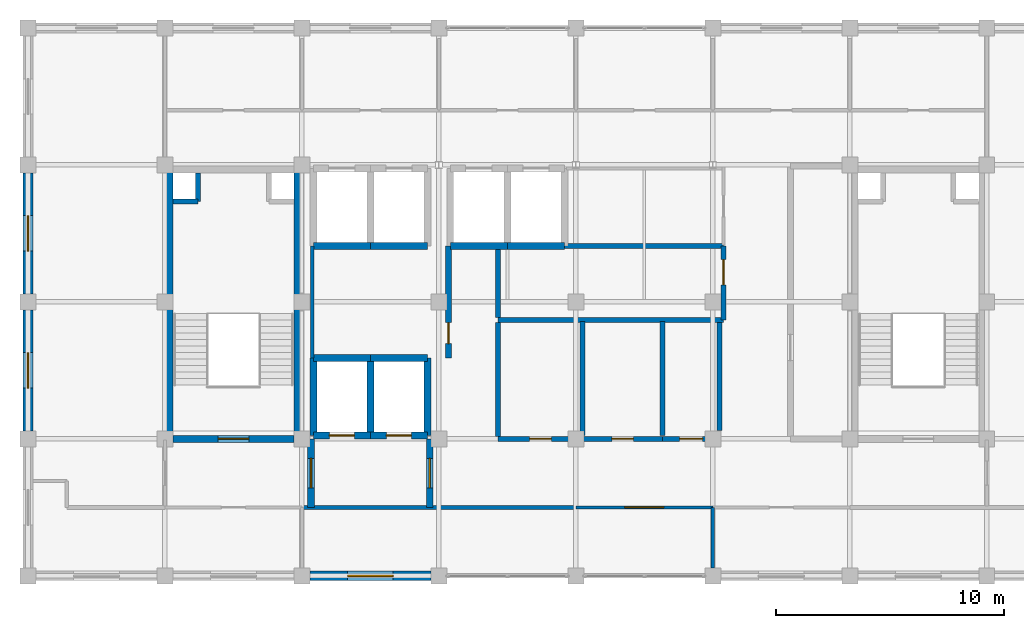
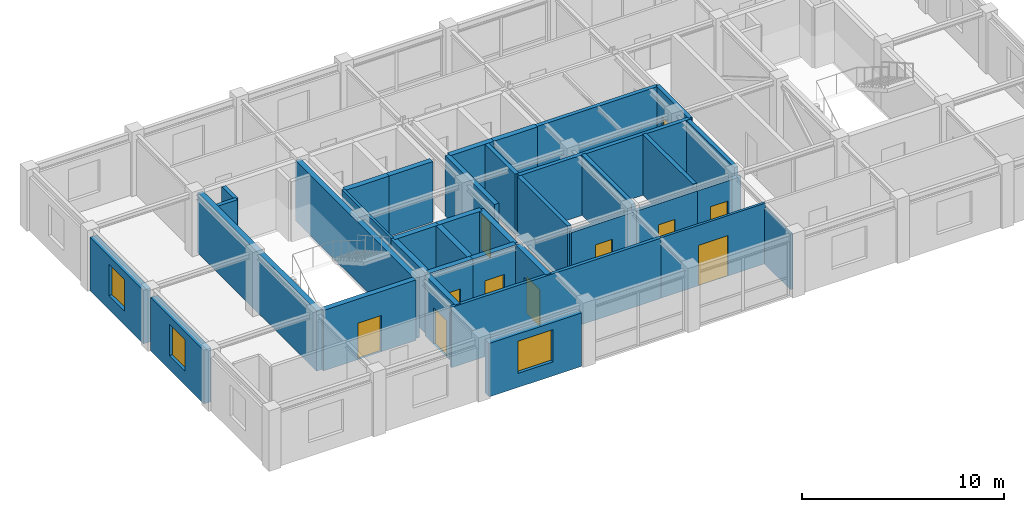
# One storey, part 8 of 11: 37 walls, 11 doors, 3 windows, 14 openings.
"""IFC4 building model written with IfcOpenShell, lengths in metres."""

import ifcopenshell
import ifcopenshell.guid

model = None  # the IFC model being written
_history = None  # IfcOwnerHistory: only IFC2X3 demands one
_inside = {}  # id of a spatial element -> (the spatial element, [elements in it])
_under = {}  # id of a project, library or spatial element -> (it, [spatial elements below it])
_declared = {}  # id of a project -> (the project, [libraries it declares])
_typed = {}  # id of a type object -> (the type object, [elements of that type])
_made_of = {}  # id of a material, layer set ... -> (it, [elements and type objects made of it])


def new_model(schema):
    """Start an empty IFC model of exactly this schema.

    Asked for "IFC4X3", IfcOpenShell would pick the latest addendum, in which some entities
    have other attributes; the version numbers below select the first issue.
    IFC2X3 requires an IfcOwnerHistory on every rooted entity: one is made here for all.
    """
    global model, _history
    if schema == "IFC4X3":
        model = ifcopenshell.file(schema_version=(4, 3, 0, 0))
    else:
        model = ifcopenshell.file(schema=schema)
    _inside.clear()
    _under.clear()
    _declared.clear()
    _typed.clear()
    _made_of.clear()
    _history = None
    if model.schema == "IFC2X3":
        org = make("IfcOrganization", Name="unknown")
        user = make(
            "IfcPersonAndOrganization",
            ThePerson=make("IfcPerson", FamilyName="unknown"),
            TheOrganization=org,
        )
        app = make(
            "IfcApplication",
            ApplicationDeveloper=org,
            Version="unknown",
            ApplicationFullName="unknown",
            ApplicationIdentifier="unknown",
        )
        _history = make(
            "IfcOwnerHistory",
            OwningUser=user,
            OwningApplication=app,
            ChangeAction="ADDED",
            CreationDate=0,
        )
    return model


def make(cls, **values):
    """One entity of the class cls with the attributes given. An attribute that is None is left unset."""
    return model.create_entity(
        cls, **{name: value for name, value in values.items() if value is not None}
    )


def rooted(cls, **values):
    """An entity with a GlobalId (a new one), such as an element, a storey or a relation."""
    return make(cls, GlobalId=ifcopenshell.guid.new(), OwnerHistory=_history, **values)


def si_unit(unit_type, name, prefix=None):
    """IfcSIUnit, for example si_unit("LENGTHUNIT", "METRE", prefix="MILLI")."""
    return make("IfcSIUnit", UnitType=unit_type, Prefix=prefix, Name=name)


def assignment(units):
    """IfcUnitAssignment: the units of a project."""
    return None if units is None else make("IfcUnitAssignment", Units=units)


def point(xyz):
    """IfcCartesianPoint."""
    return None if xyz is None else make("IfcCartesianPoint", Coordinates=xyz)


def direction(xyz):
    """IfcDirection."""
    return None if xyz is None else make("IfcDirection", DirectionRatios=xyz)


def frame(location, z_axis=None, x_axis=None):
    """IfcAxis2Placement3D, a coordinate frame: its origin and axes. An axis left out is left unset."""
    return make(
        "IfcAxis2Placement3D",
        Location=point(location),
        Axis=direction(z_axis),
        RefDirection=direction(x_axis),
    )


def frame_2d(location, x_axis=None):
    """IfcAxis2Placement2D, a coordinate frame in the plane: its origin and x axis."""
    return make(
        "IfcAxis2Placement2D", Location=point(location), RefDirection=direction(x_axis)
    )


def origin():
    """The frame at (0, 0, 0) with its axes left unset."""
    return frame((0.0, 0.0, 0.0))


def place(relative_to, where):
    """IfcLocalPlacement: puts the frame where relative to a parent placement (None: the world)."""
    return make(
        "IfcLocalPlacement", PlacementRelTo=relative_to, RelativePlacement=where
    )


def context(
    kind, dimensions, precision=None, world=None, true_north=None, identifier=None
):
    """IfcGeometricRepresentationContext, for example the 3D "Model" context."""
    return make(
        "IfcGeometricRepresentationContext",
        ContextIdentifier=identifier,
        ContextType=kind,
        CoordinateSpaceDimension=dimensions,
        Precision=precision,
        WorldCoordinateSystem=world,
        TrueNorth=true_north,
    )


def subcontext(parent, identifier, kind, view, scale=None):
    """IfcGeometricRepresentationSubContext, for example "Body" below "Model"."""
    return make(
        "IfcGeometricRepresentationSubContext",
        ContextIdentifier=identifier,
        ContextType=kind,
        ParentContext=parent,
        TargetScale=scale,
        TargetView=view,
    )


def project(units=None, contexts=None):
    """IfcProject with its units and contexts."""
    return rooted(
        "IfcProject",
        Name="project",
        RepresentationContexts=contexts,
        UnitsInContext=assignment(units),
    )


def spatial(cls, under=None, at=None, **own):
    """A site, building, storey or space (cls), placed at a placement, below another one or the project."""
    s = rooted(cls, ObjectPlacement=at, **own)
    if under is not None:
        _under.setdefault(under.id(), (under, []))[1].append(s)
    return s


def profile(cls, at=None, kind="AREA", **sizes):
    """A parametric profile (cls). Its sizes go by their IFC names, for example OverallWidth=200.0."""
    return make(cls, ProfileType=kind, Position=at, **sizes)


def rectangle(**sizes):
    """IfcRectangleProfileDef."""
    return profile("IfcRectangleProfileDef", **sizes)


def extrude(swept, where, along, depth):
    """IfcExtrudedAreaSolid: the profile swept, set in the frame where, extruded along a direction by depth."""
    return make(
        "IfcExtrudedAreaSolid",
        SweptArea=swept,
        Position=where,
        ExtrudedDirection=direction(along),
        Depth=depth,
    )


def shape(context_of_items, identifier, shape_type, items):
    """IfcShapeRepresentation: the items that make up one representation, for example the "Body"."""
    return make(
        "IfcShapeRepresentation",
        ContextOfItems=context_of_items,
        RepresentationIdentifier=identifier,
        RepresentationType=shape_type,
        Items=items,
    )


def material(Name=None, Category=None):
    """IfcMaterial."""
    return make("IfcMaterial", Name=Name, Category=Category)


def layer(
    of_material, thickness, ventilated=None, Name=None, Category=None, Priority=None
):
    """IfcMaterialLayer: one layer of a wall or slab, of a material (None: an air gap)."""
    return make(
        "IfcMaterialLayer",
        Material=of_material,
        LayerThickness=thickness,
        IsVentilated=ventilated,
        Name=Name,
        Category=Category,
        Priority=Priority,
    )


def layer_set(layers, Name=None):
    """IfcMaterialLayerSet."""
    return make("IfcMaterialLayerSet", MaterialLayers=layers, LayerSetName=Name)


def made_of(thing, what):
    """Note that an element or type object is made of a material, layer set ...; save() writes the relation."""
    if what is not None:
        _made_of.setdefault(what.id(), (what, []))[1].append(thing)
    return thing


def type_object(cls, material=None, **own):
    """A type object (cls), such as IfcWallType, which elements share."""
    return made_of(rooted(cls, **own), material)


def element(
    cls,
    number,
    at=None,
    inside=None,
    cuts=None,
    type_object=None,
    material=None,
    context=None,
    identifier="Body",
    shape_type=None,
    held_by="IfcProductDefinitionShape",
    body=None,
    shapes=None,
    **own,
):
    """One element of the class cls, such as IfcWall. Its Tag is "e" and its number.

    at: its placement. inside: the storey or other place that contains it. cuts: it is an
    opening in that element (IfcRelVoidsElement). A single representation is given by context,
    identifier, shape_type and body (its items); several are given by shapes. held_by: the class
    of the entity that holds the representations. save() writes the other relations.
    """
    e = rooted(cls, Tag="e%d" % number, ObjectPlacement=at, **own)
    if body is not None:
        shapes = [shape(context, identifier, shape_type, body)]
    if shapes is not None:
        e.Representation = make(held_by, Representations=shapes)
    if inside is not None:
        _inside.setdefault(inside.id(), (inside, []))[1].append(e)
    if cuts is not None:
        rooted(
            "IfcRelVoidsElement", RelatingBuildingElement=cuts, RelatedOpeningElement=e
        )
    if type_object is not None:
        _typed.setdefault(type_object.id(), (type_object, []))[1].append(e)
    return made_of(e, material)


def fill(opening, filler):
    """IfcRelFillsElement: the door or window that sits in an opening."""
    return rooted(
        "IfcRelFillsElement",
        RelatingOpeningElement=opening,
        RelatedBuildingElement=filler,
    )


def aggregate(whole, parts):
    """IfcRelAggregates: a whole, such as a stair, and the parts it consists of."""
    return rooted("IfcRelAggregates", RelatingObject=whole, RelatedObjects=parts)


def save(model, path):
    """Write the relations noted so far, then the file.

    IfcRelAggregates (storeys below a building ...), IfcRelContainedInSpatialStructure (elements
    in a storey), IfcRelDefinesByType, IfcRelAssociatesMaterial and IfcRelDeclares: one each for
    every whole, place, type object, material and project.
    """
    for whole, parts in _under.values():
        aggregate(whole, parts)
    for where, things in _inside.values():
        rooted(
            "IfcRelContainedInSpatialStructure",
            RelatedElements=things,
            RelatingStructure=where,
        )
    for kind, things in _typed.values():
        rooted("IfcRelDefinesByType", RelatedObjects=things, RelatingType=kind)
    for what, things in _made_of.values():
        rooted("IfcRelAssociatesMaterial", RelatedObjects=things, RelatingMaterial=what)
    for by, libraries in _declared.values():
        rooted("IfcRelDeclares", RelatingContext=by, RelatedDefinitions=libraries)
    model.write(path)


model = new_model("IFC4")

# Units and contexts
model_context = context("Model", 3, precision=1e-05, world=origin(), true_north=direction((0.0, 1.0)))
body_context = subcontext(model_context, "Body", "Model", "MODEL_VIEW")
ifc_project = project(units=[si_unit("LENGTHUNIT", "METRE"), si_unit("AREAUNIT", "SQUARE_METRE"), si_unit("VOLUMEUNIT", "CUBIC_METRE"), si_unit("PLANEANGLEUNIT", "RADIAN"), si_unit("MASSUNIT", "GRAM", prefix="KILO")], contexts=[model_context])

# Site, building, storey
site_placement = place(None, origin())
site = spatial("IfcSite", under=ifc_project, at=site_placement, CompositionType="ELEMENT")
building_placement = place(site_placement, origin())
building = spatial("IfcBuilding", under=site, at=building_placement, Name="Zlatovratsky Civic Hall", CompositionType="ELEMENT")
storey_placement = place(building_placement, frame((0.0, 0.0, 63.89990234375)))
storey = spatial("IfcBuildingStorey", under=building, at=storey_placement, Name="L16", CompositionType="ELEMENT", Elevation=63.89990234375)

# Wall
ifc_material_1 = material(Name="Acoustic ceramic blockwork", Category="masonry")
ifc_layer_1 = layer(ifc_material_1, 0.179931640625)
ifc_layer_set_1 = layer_set([ifc_layer_1], Name="Acoustic ceramic blockwork")
wall_type_1 = type_object("IfcWallType", Name="Wall_AcousticChamberPartition_180", PredefinedType="PARTITIONING", material=ifc_layer_set_1)
wall_1_placement = place(storey_placement, frame((72.0, 81.0, 0.0), z_axis=(0.0, 0.0, 1.0), x_axis=(1.0, 0.0, 0.0)))
element("IfcWall", 1, at=wall_1_placement, inside=storey, type_object=wall_type_1, Name="WL-6772", PredefinedType="PARTITIONING", context=body_context, shape_type="SweptSolid", body=[
    extrude(rectangle(XDim=12.0, YDim=0.179931640625, at=frame_2d((6.0, 0.0))), origin(), (0.0, 0.0, 1.0), 3.66015625),
])

# Wall, opening, door
ifc_layer_2 = layer(ifc_material_1, 0.260009765625)
ifc_layer_set_2 = layer_set([ifc_layer_2], Name="Acoustic ceramic blockwork")
wall_type_2 = type_object("IfcWallType", Name="Wall_ArchiveCompartment_260", PredefinedType="PARTITIONING", material=ifc_layer_set_2)
wall_2_placement = place(storey_placement, frame((78.419921875, 87.550048828125, 0.0), z_axis=(0.0, 0.0, 1.0), x_axis=(0.0, 1.0, 0.0)))
wall_2 = element("IfcWall", 2, at=wall_2_placement, inside=storey, type_object=wall_type_2, Name="WL-6750", PredefinedType="PARTITIONING", context=body_context, shape_type="SweptSolid", body=[
    extrude(rectangle(XDim=4.89990234375, YDim=0.260009765625, at=frame_2d((2.449951171875, 0.0))), origin(), (0.0, 0.0, 1.0), 3.66015625),
])
opening_1_placement = place(wall_2_placement, frame((0.617919921875, 0.0, 0.0)))
opening_1 = element("IfcOpeningElement", 3, at=opening_1_placement, cuts=wall_2, Name="Opening D-23", PredefinedType="OPENING", context=body_context, shape_type="SweptSolid", body=[
    extrude(rectangle(XDim=0.919921875, YDim=2.14990234375, at=frame_2d((0.4599609375, 1.074951171875))), frame((0.0, 0.14501953125, 0.0), z_axis=(0.0, -1.0, 0.0), x_axis=(1.0, 0.0, 0.0)), (0.0, 0.0, 1.0), 0.289794921875),
])
ifc_material_2 = material(Name="Solid oak joinery in steel frame", Category="steel")
door_type_1 = type_object("IfcDoorType", Name="Door_OfficeStandard_920x2150", OperationType="NOTDEFINED", PredefinedType="DOOR", material=ifc_material_2)
door_1_placement = place(opening_1_placement, origin())
door_1 = element("IfcDoor", 4, at=door_1_placement, inside=storey, type_object=door_type_1, Name="DR-5547", OperationType="SINGLE_SWING_LEFT", OverallHeight=2.14990234375, OverallWidth=0.919921875, PredefinedType="DOOR", context=body_context, shape_type="SweptSolid", body=[
    extrude(rectangle(XDim=0.919921875, YDim=2.14990234375, at=frame_2d((0.4599609375, 1.074951171875))), frame((0.0, 0.02490234375, 0.0), z_axis=(0.0, -1.0, 0.0), x_axis=(1.0, 0.0, 0.0)), (0.0, 0.0, 1.0), 0.050048828125),
])
fill(opening_1, door_1)

ifc_material_3 = material(Name="Fire-rated gypsum board framing", Category="gypsum")
ifc_layer_3 = layer(ifc_material_3, 0.139892578125)
ifc_layer_set_3 = layer_set([ifc_layer_3], Name="Fire-rated gypsum board framing")
wall_type_3 = type_object("IfcWallType", Name="Wall_OfficePartition_140", PredefinedType="PARTITIONING", material=ifc_layer_set_3)
wall_3_placement = place(storey_placement, frame((84.0, 81.0, 0.0), z_axis=(0.0, 0.0, 1.0), x_axis=(1.0, 0.0, 0.0)))
wall_3 = element("IfcWall", 5, at=wall_3_placement, inside=storey, type_object=wall_type_3, Name="WL-6748", PredefinedType="PARTITIONING", context=body_context, shape_type="SweptSolid", body=[
    extrude(rectangle(XDim=6.0, YDim=0.139892578125, at=frame_2d((3.0, 0.0))), origin(), (0.0, 0.0, 1.0), 3.66015625),
])
opening_2_placement = place(wall_3_placement, frame((2.14990234375, 0.0, 0.0)))
opening_2 = element("IfcOpeningElement", 6, at=opening_2_placement, cuts=wall_3, Name="Opening D-26", PredefinedType="OPENING", context=body_context, shape_type="SweptSolid", body=[
    extrude(rectangle(XDim=1.699951171875, YDim=2.449951171875, at=frame_2d((0.85009765625, 1.22509765625))), frame((0.0, 0.0849609375, 0.0), z_axis=(0.0, -1.0, 0.0), x_axis=(1.0, 0.0, 0.0)), (0.0, 0.0, 1.0), 0.169677734375),
])
door_type_2 = type_object("IfcDoorType", Name="Door_CommissionBoardroom_1700x2450", OperationType="DOUBLE_DOOR_SINGLE_SWING", PredefinedType="DOOR", material=ifc_material_2)
door_2_placement = place(opening_2_placement, origin())
door_2 = element("IfcDoor", 7, at=door_2_placement, inside=storey, type_object=door_type_2, Name="DR-5545", OperationType="DOUBLE_DOOR_SINGLE_SWING", OverallHeight=2.449951171875, OverallWidth=1.699951171875, PredefinedType="DOOR", context=body_context, shape_type="SweptSolid", body=[
    extrude(rectangle(XDim=1.699951171875, YDim=2.449951171875, at=frame_2d((0.85009765625, 1.22509765625))), frame((0.0, 0.02490234375, 0.0), z_axis=(0.0, -1.0, 0.0), x_axis=(1.0, 0.0, 0.0)), (0.0, 0.0, 1.0), 0.050048828125),
])
fill(opening_2, door_2)

# Walls
wall_4_placement = place(storey_placement, frame((90.0, 78.35009765625, 0.0), z_axis=(0.0, 0.0, 1.0), x_axis=(0.0, 1.0, 0.0)))
element("IfcWall", 8, at=wall_4_placement, inside=storey, type_object=wall_type_3, Name="WL-6759", PredefinedType="PARTITIONING", context=body_context, shape_type="SweptSolid", body=[
    extrude(rectangle(XDim=2.64990234375, YDim=0.139892578125, at=frame_2d((1.324951171875, 0.0))), origin(), (0.0, 0.0, 1.0), 3.369140625),
])
wall_5_placement = place(storey_placement, frame((72.449951171875, 87.550048828125, 0.0), z_axis=(0.0, 0.0, 1.0), x_axis=(0.0, 1.0, 0.0)))
element("IfcWall", 9, at=wall_5_placement, inside=storey, type_object=wall_type_3, Name="WL-6760", PredefinedType="PARTITIONING", context=body_context, shape_type="SweptSolid", body=[
    extrude(rectangle(XDim=4.89990234375, YDim=0.139892578125, at=frame_2d((2.449951171875, 0.0))), origin(), (0.0, 0.0, 1.0), 3.66015625),
])
ifc_layer_4 = layer(ifc_material_1, 0.219970703125)
ifc_layer_set_4 = layer_set([ifc_layer_4], Name="Acoustic ceramic blockwork")
wall_type_4 = type_object("IfcWallType", Name="Wall_SanitaryWetCore_220", PredefinedType="PARTITIONING", material=ifc_layer_set_4)
wall_6_placement = place(storey_placement, frame((67.449951171875, 94.39990234375, 0.0), z_axis=(0.0, 0.0, 1.0), x_axis=(0.0, 1.0, 0.0)))
element("IfcWall", 10, at=wall_6_placement, inside=storey, type_object=wall_type_4, Name="WL-5133", PredefinedType="PARTITIONING", context=body_context, shape_type="SweptSolid", body=[
    extrude(rectangle(XDim=1.25, YDim=0.219970703125, at=frame_2d((0.625, 0.0))), origin(), (0.0, 0.0, 1.0), 3.66015625),
])
wall_7_placement = place(storey_placement, frame((66.35009765625, 94.39990234375, 0.0), z_axis=(0.0, 0.0, 1.0), x_axis=(1.0, 0.0, 0.0)))
element("IfcWall", 11, at=wall_7_placement, inside=storey, type_object=wall_type_4, Name="WL-5134", PredefinedType="PARTITIONING", context=body_context, shape_type="SweptSolid", body=[
    extrude(rectangle(XDim=1.099853515625, YDim=0.219970703125, at=frame_2d((0.5498046875, 0.0))), origin(), (0.0, 0.0, 1.0), 3.66015625),
])

# Wall, opening, door
wall_8_placement = place(storey_placement, frame((80.60009765625, 84.0, 0.0), z_axis=(0.0, 0.0, 1.0), x_axis=(1.0, 0.0, 0.0)))
wall_8 = element("IfcWall", 12, at=wall_8_placement, inside=storey, type_object=wall_type_4, Name="WL-6738", PredefinedType="PARTITIONING", context=body_context, shape_type="SweptSolid", body=[
    extrude(rectangle(XDim=3.699951171875, YDim=0.219970703125, at=frame_2d((1.85009765625, 0.0))), origin(), (0.0, 0.0, 1.0), 3.369140625),
])
opening_3_placement = place(wall_8_placement, frame((1.375, 0.0, 0.0)))
opening_3 = element("IfcOpeningElement", 13, at=opening_3_placement, cuts=wall_8, Name="Opening D-21", PredefinedType="OPENING", context=body_context, shape_type="SweptSolid", body=[
    extrude(rectangle(XDim=0.949951171875, YDim=2.14990234375, at=frame_2d((0.47509765625, 1.074951171875))), frame((0.0, 0.125, 0.0), z_axis=(0.0, -1.0, 0.0), x_axis=(1.0, 0.0, 0.0)), (0.0, 0.0, 1.0), 0.249755859375),
])
door_type_3 = type_object("IfcDoorType", Name="Door_MensWC_950x2150", OperationType="NOTDEFINED", PredefinedType="DOOR", material=ifc_material_2)
door_3_placement = place(opening_3_placement, origin())
door_3 = element("IfcDoor", 14, at=door_3_placement, inside=storey, type_object=door_type_3, Name="DR-5538", OperationType="SINGLE_SWING_LEFT", OverallHeight=2.14990234375, OverallWidth=0.949951171875, PredefinedType="DOOR", context=body_context, shape_type="SweptSolid", body=[
    extrude(rectangle(XDim=0.949951171875, YDim=2.14990234375, at=frame_2d((0.47509765625, 1.074951171875))), frame((0.0, 0.02490234375, 0.0), z_axis=(0.0, -1.0, 0.0), x_axis=(1.0, 0.0, 0.0)), (0.0, 0.0, 1.0), 0.050048828125),
])
fill(opening_3, door_3)

wall_9_placement = place(storey_placement, frame((84.300048828125, 84.0, 0.0), z_axis=(0.0, 0.0, 1.0), x_axis=(1.0, 0.0, 0.0)))
wall_9 = element("IfcWall", 15, at=wall_9_placement, inside=storey, type_object=wall_type_4, Name="WL-6739", PredefinedType="PARTITIONING", context=body_context, shape_type="SweptSolid", body=[
    extrude(rectangle(XDim=3.5, YDim=0.219970703125, at=frame_2d((1.75, 0.0))), origin(), (0.0, 0.0, 1.0), 3.369140625),
])
opening_4_placement = place(wall_9_placement, frame((1.27490234375, 0.0, 0.0)))
opening_4 = element("IfcOpeningElement", 16, at=opening_4_placement, cuts=wall_9, Name="Opening D-22", PredefinedType="OPENING", context=body_context, shape_type="SweptSolid", body=[
    extrude(rectangle(XDim=0.949951171875, YDim=2.10009765625, at=frame_2d((0.47509765625, 1.050048828125))), frame((0.0, 0.125, 0.0), z_axis=(0.0, -1.0, 0.0), x_axis=(1.0, 0.0, 0.0)), (0.0, 0.0, 1.0), 0.249755859375),
])
door_type_4 = type_object("IfcDoorType", Name="Door_WomensWC_950x2100", OperationType="NOTDEFINED", PredefinedType="DOOR", material=ifc_material_2)
door_4_placement = place(opening_4_placement, origin())
door_4 = element("IfcDoor", 17, at=door_4_placement, inside=storey, type_object=door_type_4, Name="DR-5539", OperationType="SINGLE_SWING_RIGHT", OverallHeight=2.10009765625, OverallWidth=0.949951171875, PredefinedType="DOOR", context=body_context, shape_type="SweptSolid", body=[
    extrude(rectangle(XDim=0.949951171875, YDim=2.10009765625, at=frame_2d((0.47509765625, 1.050048828125))), frame((0.0, 0.02490234375, 0.0), z_axis=(0.0, -1.0, 0.0), x_axis=(1.0, 0.0, 0.0)), (0.0, 0.0, 1.0), 0.050048828125),
])
fill(opening_4, door_4)

wall_10_placement = place(storey_placement, frame((87.800048828125, 84.0, 0.0), z_axis=(0.0, 0.0, 1.0), x_axis=(1.0, 0.0, 0.0)))
wall_10 = element("IfcWall", 18, at=wall_10_placement, inside=storey, type_object=wall_type_4, Name="WL-6740", PredefinedType="PARTITIONING", context=body_context, shape_type="SweptSolid", body=[
    extrude(rectangle(XDim=2.5, YDim=0.219970703125, at=frame_2d((1.25, 0.0))), origin(), (0.0, 0.0, 1.0), 3.369140625),
])
opening_5_placement = place(wall_10_placement, frame((0.75, 0.0, 0.0)))
opening_5 = element("IfcOpeningElement", 19, at=opening_5_placement, cuts=wall_10, Name="Opening D-20", PredefinedType="OPENING", context=body_context, shape_type="SweptSolid", body=[
    extrude(rectangle(XDim=1.0, YDim=2.14990234375, at=frame_2d((0.5, 1.074951171875))), frame((0.0, 0.125, 0.0), z_axis=(0.0, -1.0, 0.0), x_axis=(1.0, 0.0, 0.0)), (0.0, 0.0, 1.0), 0.249755859375),
])
door_type_5 = type_object("IfcDoorType", Name="Door_AccessibleWC_1000x2150", OperationType="NOTDEFINED", PredefinedType="DOOR", material=ifc_material_2)
door_5_placement = place(opening_5_placement, origin())
door_5 = element("IfcDoor", 20, at=door_5_placement, inside=storey, type_object=door_type_5, Name="DR-5540", OperationType="SINGLE_SWING_LEFT", OverallHeight=2.14990234375, OverallWidth=1.0, PredefinedType="DOOR", context=body_context, shape_type="SweptSolid", body=[
    extrude(rectangle(XDim=1.0, YDim=2.14990234375, at=frame_2d((0.5, 1.074951171875))), frame((0.0, 0.02490234375, 0.0), z_axis=(0.0, -1.0, 0.0), x_axis=(1.0, 0.0, 0.0)), (0.0, 0.0, 1.0), 0.050048828125),
])
fill(opening_5, door_5)

# Walls
for number, where, z_axis, x_axis, name in (
    (21, (84.300048828125, 84.14990234375, 0.0), (0.0, 0.0, 1.0), (0.0, 1.0, 0.0), "WL-6741"),
    (22, (87.800048828125, 84.14990234375, 0.0), (0.0, 0.0, 1.0), (0.0, 1.0, 0.0), "WL-6742"),
):
    element("IfcWall", number, at=place(storey_placement, frame(where, z_axis=z_axis, x_axis=x_axis)), inside=storey, type_object=wall_type_4, Name=name, PredefinedType="PARTITIONING", context=body_context, shape_type="SweptSolid", body=[
        extrude(rectangle(XDim=5.0, YDim=0.219970703125, at=frame_2d((2.5, 0.0))), origin(), (0.0, 0.0, 1.0), 3.66015625),
    ])
wall_11_placement = place(storey_placement, frame((80.60009765625, 89.199951171875, 0.0), z_axis=(0.0, 0.0, 1.0), x_axis=(1.0, 0.0, 0.0)))
element("IfcWall", 23, at=wall_11_placement, inside=storey, type_object=wall_type_4, Name="WL-6743", PredefinedType="PARTITIONING", context=body_context, shape_type="SweptSolid", body=[
    extrude(rectangle(XDim=9.869873046875, YDim=0.219970703125, at=frame_2d((4.93505859375, 0.0))), origin(), (0.0, 0.0, 1.0), 3.66015625),
])

# Wall, opening, door
wall_12_placement = place(storey_placement, frame((90.469970703125, 89.199951171875, 0.0), z_axis=(0.0, 0.0, 1.0), x_axis=(0.0, 1.0, 0.0)))
wall_12 = element("IfcWall", 24, at=wall_12_placement, inside=storey, type_object=wall_type_4, Name="WL-6744", PredefinedType="PARTITIONING", context=body_context, shape_type="SweptSolid", body=[
    extrude(rectangle(XDim=3.25, YDim=0.219970703125, at=frame_2d((1.625, 0.0))), origin(), (0.0, 0.0, 1.0), 3.66015625),
])
opening_6_placement = place(wall_12_placement, frame((1.550048828125, 0.0, 0.0)))
opening_6 = element("IfcOpeningElement", 25, at=opening_6_placement, cuts=wall_12, Name="Opening D-30", PredefinedType="OPENING", context=body_context, shape_type="SweptSolid", body=[
    extrude(rectangle(XDim=1.10009765625, YDim=2.14990234375, at=frame_2d((0.550048828125, 1.074951171875))), frame((0.0, 0.125, 0.0), z_axis=(0.0, -1.0, 0.0), x_axis=(1.0, 0.0, 0.0)), (0.0, 0.0, 1.0), 0.249755859375),
])
ifc_material_4 = material(Name="Insulated painted fire-rated steel leaf", Category="steel")
door_type_6 = type_object("IfcDoorType", Name="Door_ElectricalRoom_1100x2150", OperationType="NOTDEFINED", PredefinedType="DOOR", material=ifc_material_4)
door_6_placement = place(opening_6_placement, origin())
door_6 = element("IfcDoor", 26, at=door_6_placement, inside=storey, type_object=door_type_6, Name="DR-5541", OperationType="SINGLE_SWING_RIGHT", OverallHeight=2.14990234375, OverallWidth=1.10009765625, PredefinedType="DOOR", context=body_context, shape_type="SweptSolid", body=[
    extrude(rectangle(XDim=1.10009765625, YDim=2.14990234375, at=frame_2d((0.550048828125, 1.074951171875))), frame((0.0, 0.02490234375, 0.0), z_axis=(0.0, -1.0, 0.0), x_axis=(1.0, 0.0, 0.0)), (0.0, 0.0, 1.0), 0.050048828125),
])
fill(opening_6, door_6)

# Walls
wall_13_placement = place(storey_placement, frame((80.60009765625, 84.110107421875, 0.0), z_axis=(0.0, 0.0, 1.0), x_axis=(0.0, 1.0, 0.0)))
element("IfcWall", 27, at=wall_13_placement, inside=storey, type_object=wall_type_4, Name="WL-6767", PredefinedType="PARTITIONING", context=body_context, shape_type="SweptSolid", body=[
    extrude(rectangle(XDim=4.97998046875, YDim=0.219970703125, at=frame_2d((2.489990234375, 0.0))), origin(), (0.0, 0.0, 1.0), 3.66015625),
])
wall_14_placement = place(storey_placement, frame((90.300048828125, 84.360107421875, 0.0), z_axis=(0.0, 0.0, 1.0), x_axis=(0.0, 1.0, 0.0)))
element("IfcWall", 28, at=wall_14_placement, inside=storey, type_object=wall_type_4, Name="WL-6768", PredefinedType="PARTITIONING", context=body_context, shape_type="SweptSolid", body=[
    extrude(rectangle(XDim=4.72998046875, YDim=0.219970703125, at=frame_2d((2.364990234375, 0.0))), origin(), (0.0, 0.0, 1.0), 3.66015625),
])
wall_15_placement = place(storey_placement, frame((80.60009765625, 89.31005859375, 0.0), z_axis=(0.0, 0.0, 1.0), x_axis=(0.0, 1.0, 0.0)))
element("IfcWall", 29, at=wall_15_placement, inside=storey, type_object=wall_type_4, Name="WL-6769", PredefinedType="PARTITIONING", context=body_context, shape_type="SweptSolid", body=[
    extrude(rectangle(XDim=2.989990234375, YDim=0.219970703125, at=frame_2d((1.4951171875, 0.0))), origin(), (0.0, 0.0, 1.0), 3.66015625),
])
wall_16_placement = place(storey_placement, frame((83.5, 92.449951171875, 0.0), z_axis=(0.0, 0.0, 1.0), x_axis=(1.0, 0.0, 0.0)))
element("IfcWall", 30, at=wall_16_placement, inside=storey, type_object=wall_type_4, Name="WL-6770", PredefinedType="PARTITIONING", context=body_context, shape_type="SweptSolid", body=[
    extrude(rectangle(XDim=6.969970703125, YDim=0.219970703125, at=frame_2d((3.48486328125, 0.0))), origin(), (0.0, 0.0, 1.0), 3.66015625),
])

# Wall, opening, door
ifc_material_5 = material(Name="Concrete C35/45 (B40)", Category="concrete")
ifc_layer_5 = layer(ifc_material_5, 0.300048828125)
ifc_layer_set_5 = layer_set([ifc_layer_5], Name="Concrete C35/45 (B40)")
wall_type_5 = type_object("IfcWallType", Name="Wall_StairAndLiftShaft_300", PredefinedType="SHEAR", material=ifc_layer_set_5)
wall_17_placement = place(storey_placement, frame((66.35009765625, 84.0, 0.0), z_axis=(0.0, 0.0, 1.0), x_axis=(1.0, 0.0, 0.0)))
wall_17 = element("IfcWall", 31, at=wall_17_placement, inside=storey, type_object=wall_type_5, Name="WL-5129", PredefinedType="SHEAR", context=body_context, shape_type="SweptSolid", body=[
    extrude(rectangle(XDim=5.2998046875, YDim=0.300048828125, at=frame_2d((2.64990234375, 0.0))), origin(), (0.0, 0.0, 1.0), 3.66015625),
])
opening_7_placement = place(wall_17_placement, frame((1.97509765625, 0.0, 0.0)))
opening_7 = element("IfcOpeningElement", 32, at=opening_7_placement, cuts=wall_17, Name="Opening D-17", PredefinedType="OPENING", context=body_context, shape_type="SweptSolid", body=[
    extrude(rectangle(XDim=1.35009765625, YDim=2.199951171875, at=frame_2d((0.675048828125, 1.10009765625))), frame((0.0, 0.1650390625, 0.0), z_axis=(0.0, -1.0, 0.0), x_axis=(1.0, 0.0, 0.0)), (0.0, 0.0, 1.0), 0.329833984375),
])
door_type_7 = type_object("IfcDoorType", Name="Door_StairwellFireTower_1350x2200", OperationType="NOTDEFINED", PredefinedType="DOOR", material=ifc_material_4)
door_7_placement = place(opening_7_placement, origin())
door_7 = element("IfcDoor", 33, at=door_7_placement, inside=storey, type_object=door_type_7, Name="DR-5017", OperationType="SINGLE_SWING_LEFT", OverallHeight=2.199951171875, OverallWidth=1.35009765625, PredefinedType="DOOR", context=body_context, shape_type="SweptSolid", body=[
    extrude(rectangle(XDim=1.35009765625, YDim=2.199951171875, at=frame_2d((0.675048828125, 1.10009765625))), frame((0.0, 0.02490234375, 0.0), z_axis=(0.0, -1.0, 0.0), x_axis=(1.0, 0.0, 0.0)), (0.0, 0.0, 1.0), 0.050048828125),
])
fill(opening_7, door_7)

# Walls
for number, where, z_axis, x_axis, name in (
    (34, (66.199951171875, 84.0, 0.0), (0.0, 0.0, 1.0), (0.0, 1.0, 0.0), "WL-5131"),
    (35, (71.800048828125, 84.0, 0.0), (0.0, 0.0, 1.0), (0.0, 1.0, 0.0), "WL-5132"),
):
    element("IfcWall", number, at=place(storey_placement, frame(where, z_axis=z_axis, x_axis=x_axis)), inside=storey, type_object=wall_type_5, Name=name, PredefinedType="SHEAR", context=body_context, shape_type="SweptSolid", body=[
        extrude(rectangle(XDim=11.800048828125, YDim=0.300048828125, at=frame_2d((5.89990234375, 0.0))), origin(), (0.0, 0.0, 1.0), 3.66015625),
    ])

# Wall, opening, door
wall_18_placement = place(storey_placement, frame((72.5, 84.14990234375, 0.0), z_axis=(0.0, 0.0, 1.0), x_axis=(1.0, 0.0, 0.0)))
wall_18 = element("IfcWall", 36, at=wall_18_placement, inside=storey, type_object=wall_type_5, Name="WL-5541", PredefinedType="SHEAR", context=body_context, shape_type="SweptSolid", body=[
    extrude(rectangle(XDim=2.5, YDim=0.300048828125, at=frame_2d((1.25, 0.0))), origin(), (0.0, 0.0, 1.0), 3.66015625),
])
opening_8_placement = place(wall_18_placement, frame((0.699951171875, 0.0, 0.0)))
opening_8 = element("IfcOpeningElement", 37, at=opening_8_placement, cuts=wall_18, Name="Opening LD-01", PredefinedType="OPENING", context=body_context, shape_type="SweptSolid", body=[
    extrude(rectangle(XDim=1.10009765625, YDim=2.10009765625, at=frame_2d((0.550048828125, 1.050048828125))), frame((0.0, 0.1650390625, 0.0), z_axis=(0.0, -1.0, 0.0), x_axis=(1.0, 0.0, 0.0)), (0.0, 0.0, 1.0), 0.329833984375),
])
ifc_material_6 = material(Name="Brushed stainless steel AISI 304", Category="steel")
door_type_8 = type_object("IfcDoorType", Name="Door_LiftLandingFire_1100x2100", OperationType="DOUBLE_DOOR_SLIDING", PredefinedType="DOOR", material=ifc_material_6)
door_8_placement = place(opening_8_placement, origin())
door_8 = element("IfcDoor", 38, at=door_8_placement, inside=storey, type_object=door_type_8, Name="Lift landing door LD-5075", OperationType="DOUBLE_DOOR_SLIDING", OverallHeight=2.10009765625, OverallWidth=1.10009765625, PredefinedType="DOOR", context=body_context, shape_type="SweptSolid", body=[
    extrude(rectangle(XDim=1.10009765625, YDim=2.10009765625, at=frame_2d((0.550048828125, 1.050048828125))), frame((0.0, 0.02490234375, 0.0), z_axis=(0.0, -1.0, 0.0), x_axis=(1.0, 0.0, 0.0)), (0.0, 0.0, 1.0), 0.050048828125),
])
fill(opening_8, door_8)

# Walls
wall_19_placement = place(storey_placement, frame((72.5, 87.550048828125, 0.0), z_axis=(0.0, 0.0, 1.0), x_axis=(1.0, 0.0, 0.0)))
element("IfcWall", 39, at=wall_19_placement, inside=storey, type_object=wall_type_5, Name="WL-5542", PredefinedType="SHEAR", context=body_context, shape_type="SweptSolid", body=[
    extrude(rectangle(XDim=2.5, YDim=0.300048828125, at=frame_2d((1.25, 0.0))), origin(), (0.0, 0.0, 1.0), 3.66015625),
])
wall_20_placement = place(storey_placement, frame((72.5, 84.14990234375, 0.0), z_axis=(0.0, 0.0, 1.0), x_axis=(0.0, 1.0, 0.0)))
element("IfcWall", 40, at=wall_20_placement, inside=storey, type_object=wall_type_5, Name="WL-5543", PredefinedType="SHEAR", context=body_context, shape_type="SweptSolid", body=[
    extrude(rectangle(XDim=3.400146484375, YDim=0.300048828125, at=frame_2d((1.7001953125, 0.0))), origin(), (0.0, 0.0, 1.0), 3.66015625),
])

# Wall, opening, door
wall_21_placement = place(storey_placement, frame((75.0, 84.14990234375, 0.0), z_axis=(0.0, 0.0, 1.0), x_axis=(1.0, 0.0, 0.0)))
wall_21 = element("IfcWall", 41, at=wall_21_placement, inside=storey, type_object=wall_type_5, Name="WL-5614", PredefinedType="SHEAR", context=body_context, shape_type="SweptSolid", body=[
    extrude(rectangle(XDim=2.5, YDim=0.300048828125, at=frame_2d((1.25, 0.0))), origin(), (0.0, 0.0, 1.0), 3.66015625),
])
opening_9_placement = place(wall_21_placement, frame((0.699951171875, 0.0, 0.0)))
opening_9 = element("IfcOpeningElement", 42, at=opening_9_placement, cuts=wall_21, Name="Opening LD-01", PredefinedType="OPENING", context=body_context, shape_type="SweptSolid", body=[
    extrude(rectangle(XDim=1.10009765625, YDim=2.10009765625, at=frame_2d((0.550048828125, 1.050048828125))), frame((0.0, 0.1650390625, 0.0), z_axis=(0.0, -1.0, 0.0), x_axis=(1.0, 0.0, 0.0)), (0.0, 0.0, 1.0), 0.329833984375),
])
door_9_placement = place(opening_9_placement, origin())
door_9 = element("IfcDoor", 43, at=door_9_placement, inside=storey, type_object=door_type_8, Name="Lift landing door LD-5094", OperationType="DOUBLE_DOOR_SLIDING", OverallHeight=2.10009765625, OverallWidth=1.10009765625, PredefinedType="DOOR", context=body_context, shape_type="SweptSolid", body=[
    extrude(rectangle(XDim=1.10009765625, YDim=2.10009765625, at=frame_2d((0.550048828125, 1.050048828125))), frame((0.0, 0.02490234375, 0.0), z_axis=(0.0, -1.0, 0.0), x_axis=(1.0, 0.0, 0.0)), (0.0, 0.0, 1.0), 0.050048828125),
])
fill(opening_9, door_9)

# Walls
wall_22_placement = place(storey_placement, frame((75.0, 87.550048828125, 0.0), z_axis=(0.0, 0.0, 1.0), x_axis=(1.0, 0.0, 0.0)))
element("IfcWall", 44, at=wall_22_placement, inside=storey, type_object=wall_type_5, Name="WL-5615", PredefinedType="SHEAR", context=body_context, shape_type="SweptSolid", body=[
    extrude(rectangle(XDim=2.5, YDim=0.300048828125, at=frame_2d((1.25, 0.0))), origin(), (0.0, 0.0, 1.0), 3.66015625),
])
for number, where, z_axis, x_axis, name in (
    (45, (75.0, 84.14990234375, 0.0), (0.0, 0.0, 1.0), (0.0, 1.0, 0.0), "WL-5616"),
    (46, (77.5, 84.14990234375, 0.0), (0.0, 0.0, 1.0), (0.0, 1.0, 0.0), "WL-5617"),
):
    element("IfcWall", number, at=place(storey_placement, frame(where, z_axis=z_axis, x_axis=x_axis)), inside=storey, type_object=wall_type_5, Name=name, PredefinedType="SHEAR", context=body_context, shape_type="SweptSolid", body=[
        extrude(rectangle(XDim=3.400146484375, YDim=0.300048828125, at=frame_2d((1.7001953125, 0.0))), origin(), (0.0, 0.0, 1.0), 3.66015625),
    ])
for number, where, z_axis, x_axis, name in (
    (47, (72.5, 92.449951171875, 0.0), (0.0, 0.0, 1.0), (1.0, 0.0, 0.0), "WL-5675"),
    (48, (75.0, 92.449951171875, 0.0), (0.0, 0.0, 1.0), (1.0, 0.0, 0.0), "WL-5748"),
    (49, (78.5, 92.449951171875, 0.0), (0.0, 0.0, 1.0), (1.0, 0.0, 0.0), "WL-5808"),
    (50, (81.0, 92.449951171875, 0.0), (0.0, 0.0, 1.0), (1.0, 0.0, 0.0), "WL-5881"),
):
    element("IfcWall", number, at=place(storey_placement, frame(where, z_axis=z_axis, x_axis=x_axis)), inside=storey, type_object=wall_type_5, Name=name, PredefinedType="SHEAR", context=body_context, shape_type="SweptSolid", body=[
        extrude(rectangle(XDim=2.5, YDim=0.300048828125, at=frame_2d((1.25, 0.0))), origin(), (0.0, 0.0, 1.0), 3.66015625),
    ])

# Wall, opening, door
wall_23_placement = place(storey_placement, frame((72.39990234375, 81.0, 0.0), z_axis=(0.0, 0.0, 1.0), x_axis=(0.0, 1.0, 0.0)))
wall_23 = element("IfcWall", 51, at=wall_23_placement, inside=storey, type_object=wall_type_5, Name="WL-6736", PredefinedType="SHEAR", context=body_context, shape_type="SweptSolid", body=[
    extrude(rectangle(XDim=3.0, YDim=0.300048828125, at=frame_2d((1.5, 0.0))), origin(), (0.0, 0.0, 1.0), 3.66015625),
])
opening_10_placement = place(wall_23_placement, frame((0.85009765625, 0.0, 0.0)))
opening_10 = element("IfcOpeningElement", 52, at=opening_10_placement, cuts=wall_23, Name="Opening D-18", PredefinedType="OPENING", context=body_context, shape_type="SweptSolid", body=[
    extrude(rectangle(XDim=1.300048828125, YDim=2.199951171875, at=frame_2d((0.64990234375, 1.10009765625))), frame((0.0, 0.1650390625, 0.0), z_axis=(0.0, -1.0, 0.0), x_axis=(1.0, 0.0, 0.0)), (0.0, 0.0, 1.0), 0.329833984375),
])
door_type_9 = type_object("IfcDoorType", Name="Door_FireLobbyAirlock_1300x2200", OperationType="NOTDEFINED", PredefinedType="DOOR", material=ifc_material_4)
door_10_placement = place(opening_10_placement, origin())
door_10 = element("IfcDoor", 53, at=door_10_placement, inside=storey, type_object=door_type_9, Name="DR-5536", OperationType="SINGLE_SWING_RIGHT", OverallHeight=2.199951171875, OverallWidth=1.300048828125, PredefinedType="DOOR", context=body_context, shape_type="SweptSolid", body=[
    extrude(rectangle(XDim=1.300048828125, YDim=2.199951171875, at=frame_2d((0.64990234375, 1.10009765625))), frame((0.0, 0.02490234375, 0.0), z_axis=(0.0, -1.0, 0.0), x_axis=(1.0, 0.0, 0.0)), (0.0, 0.0, 1.0), 0.050048828125),
])
fill(opening_10, door_10)

wall_24_placement = place(storey_placement, frame((77.60009765625, 81.0, 0.0), z_axis=(0.0, 0.0, 1.0), x_axis=(0.0, 1.0, 0.0)))
wall_24 = element("IfcWall", 54, at=wall_24_placement, inside=storey, type_object=wall_type_5, Name="WL-6737", PredefinedType="SHEAR", context=body_context, shape_type="SweptSolid", body=[
    extrude(rectangle(XDim=3.0, YDim=0.300048828125, at=frame_2d((1.5, 0.0))), origin(), (0.0, 0.0, 1.0), 3.66015625),
])
opening_11_placement = place(wall_24_placement, frame((0.85009765625, 0.0, 0.0)))
opening_11 = element("IfcOpeningElement", 55, at=opening_11_placement, cuts=wall_24, Name="Opening D-18", PredefinedType="OPENING", context=body_context, shape_type="SweptSolid", body=[
    extrude(rectangle(XDim=1.300048828125, YDim=2.199951171875, at=frame_2d((0.64990234375, 1.10009765625))), frame((0.0, 0.1650390625, 0.0), z_axis=(0.0, -1.0, 0.0), x_axis=(1.0, 0.0, 0.0)), (0.0, 0.0, 1.0), 0.329833984375),
])
door_11_placement = place(opening_11_placement, origin())
door_11 = element("IfcDoor", 56, at=door_11_placement, inside=storey, type_object=door_type_9, Name="DR-5537", OperationType="SINGLE_SWING_RIGHT", OverallHeight=2.199951171875, OverallWidth=1.300048828125, PredefinedType="DOOR", context=body_context, shape_type="SweptSolid", body=[
    extrude(rectangle(XDim=1.300048828125, YDim=2.199951171875, at=frame_2d((0.64990234375, 1.10009765625))), frame((0.0, 0.02490234375, 0.0), z_axis=(0.0, -1.0, 0.0), x_axis=(1.0, 0.0, 0.0)), (0.0, 0.0, 1.0), 0.050048828125),
])
fill(opening_11, door_11)

# Wall, opening, window
ifc_layer_6 = layer(ifc_material_1, 0.280029296875, Name="Backing")
ifc_material_7 = material(Name="Podolsk limestone ashlar", Category="masonry")
ifc_layer_7 = layer(ifc_material_7, 0.139892578125, Name="Finish")
ifc_layer_set_6 = layer_set([ifc_layer_6, ifc_layer_7], Name="Acoustic ceramic blockwork")
wall_type_6 = type_object("IfcWallType", Name="Wall_TowerLimestoneAshlar_420", PredefinedType="SOLIDWALL", material=ifc_layer_set_6)
wall_25_placement = place(storey_placement, frame((72.35009765625, 78.0, 0.0), z_axis=(0.0, 0.0, 1.0), x_axis=(1.0, 0.0, 0.0)))
wall_25 = element("IfcWall", 57, at=wall_25_placement, inside=storey, type_object=wall_type_6, Name="WL-0651", PredefinedType="SOLIDWALL", context=body_context, shape_type="SweptSolid", body=[
    extrude(rectangle(XDim=5.2998046875, YDim=0.419921875, at=frame_2d((2.64990234375, 0.0))), origin(), (0.0, 0.0, 1.0), 3.239990234375),
])
opening_12_placement = place(wall_25_placement, frame((1.64990234375, 0.0, 0.85009765625)))
opening_12 = element("IfcOpeningElement", 58, at=opening_12_placement, cuts=wall_25, Name="Opening WN-20", PredefinedType="OPENING", context=body_context, shape_type="SweptSolid", body=[
    extrude(rectangle(XDim=2.0, YDim=1.949951171875, at=frame_2d((1.0, 0.97509765625))), frame((0.0, 0.224853515625, 0.0), z_axis=(0.0, -1.0, 0.0), x_axis=(1.0, 0.0, 0.0)), (0.0, 0.0, 1.0), 0.44970703125),
])
ifc_material_8 = material(Name="Low-E laminated double glazing", Category="glass")
window_type_1 = type_object("IfcWindowType", Name="Window_TowerTier3South_2000x1950", PartitioningType="SINGLE_PANEL", PredefinedType="WINDOW", material=ifc_material_8)
window_1_placement = place(opening_12_placement, origin())
window_1 = element("IfcWindow", 59, at=window_1_placement, inside=storey, type_object=window_type_1, Name="WN-0523", OverallHeight=1.949951171875, OverallWidth=2.0, PartitioningType="SINGLE_PANEL", PredefinedType="WINDOW", context=body_context, shape_type="SweptSolid", body=[
    extrude(rectangle(XDim=2.0, YDim=1.949951171875, at=frame_2d((1.0, 0.97509765625))), frame((0.0, 0.030029296875, 0.0), z_axis=(0.0, -1.0, 0.0), x_axis=(1.0, 0.0, 0.0)), (0.0, 0.0, 1.0), 0.06005859375),
])
fill(opening_12, window_1)

wall_26_placement = place(storey_placement, frame((60.0, 84.35009765625, 0.0), z_axis=(0.0, 0.0, 1.0), x_axis=(0.0, 1.0, 0.0)))
wall_26 = element("IfcWall", 60, at=wall_26_placement, inside=storey, type_object=wall_type_6, Name="WL-0662", PredefinedType="SOLIDWALL", context=body_context, shape_type="SweptSolid", body=[
    extrude(rectangle(XDim=5.2998046875, YDim=0.419921875, at=frame_2d((2.64990234375, 0.0))), origin(), (0.0, 0.0, 1.0), 3.239990234375),
])
opening_13_placement = place(wall_26_placement, frame((1.875, 0.0, 0.85009765625)))
opening_13 = element("IfcOpeningElement", 61, at=opening_13_placement, cuts=wall_26, Name="Opening WN-22", PredefinedType="OPENING", context=body_context, shape_type="SweptSolid", body=[
    extrude(rectangle(XDim=1.550048828125, YDim=1.89990234375, at=frame_2d((0.77490234375, 0.949951171875))), frame((0.0, 0.224853515625, 0.0), z_axis=(0.0, -1.0, 0.0), x_axis=(1.0, 0.0, 0.0)), (0.0, 0.0, 1.0), 0.44970703125),
])
window_type_2 = type_object("IfcWindowType", Name="Window_TowerTier3Flank_1550x1900", PartitioningType="SINGLE_PANEL", PredefinedType="WINDOW", material=ifc_material_8)
window_2_placement = place(opening_13_placement, origin())
window_2 = element("IfcWindow", 62, at=window_2_placement, inside=storey, type_object=window_type_2, Name="WN-0534", OverallHeight=1.89990234375, OverallWidth=1.550048828125, PartitioningType="SINGLE_PANEL", PredefinedType="WINDOW", context=body_context, shape_type="SweptSolid", body=[
    extrude(rectangle(XDim=1.550048828125, YDim=1.89990234375, at=frame_2d((0.77490234375, 0.949951171875))), frame((0.0, 0.030029296875, 0.0), z_axis=(0.0, -1.0, 0.0), x_axis=(1.0, 0.0, 0.0)), (0.0, 0.0, 1.0), 0.06005859375),
])
fill(opening_13, window_2)

wall_27_placement = place(storey_placement, frame((60.0, 90.35009765625, 0.0), z_axis=(0.0, 0.0, 1.0), x_axis=(0.0, 1.0, 0.0)))
wall_27 = element("IfcWall", 63, at=wall_27_placement, inside=storey, type_object=wall_type_6, Name="WL-0663", PredefinedType="SOLIDWALL", context=body_context, shape_type="SweptSolid", body=[
    extrude(rectangle(XDim=5.2998046875, YDim=0.419921875, at=frame_2d((2.64990234375, 0.0))), origin(), (0.0, 0.0, 1.0), 3.239990234375),
])
opening_14_placement = place(wall_27_placement, frame((1.875, 0.0, 0.85009765625)))
opening_14 = element("IfcOpeningElement", 64, at=opening_14_placement, cuts=wall_27, Name="Opening WN-22", PredefinedType="OPENING", context=body_context, shape_type="SweptSolid", body=[
    extrude(rectangle(XDim=1.550048828125, YDim=1.89990234375, at=frame_2d((0.77490234375, 0.949951171875))), frame((0.0, 0.224853515625, 0.0), z_axis=(0.0, -1.0, 0.0), x_axis=(1.0, 0.0, 0.0)), (0.0, 0.0, 1.0), 0.44970703125),
])
window_3_placement = place(opening_14_placement, origin())
window_3 = element("IfcWindow", 65, at=window_3_placement, inside=storey, type_object=window_type_2, Name="WN-0535", OverallHeight=1.89990234375, OverallWidth=1.550048828125, PartitioningType="SINGLE_PANEL", PredefinedType="WINDOW", context=body_context, shape_type="SweptSolid", body=[
    extrude(rectangle(XDim=1.550048828125, YDim=1.89990234375, at=frame_2d((0.77490234375, 0.949951171875))), frame((0.0, 0.030029296875, 0.0), z_axis=(0.0, -1.0, 0.0), x_axis=(1.0, 0.0, 0.0)), (0.0, 0.0, 1.0), 0.06005859375),
])
fill(opening_14, window_3)

save(model, "model.ifc")
